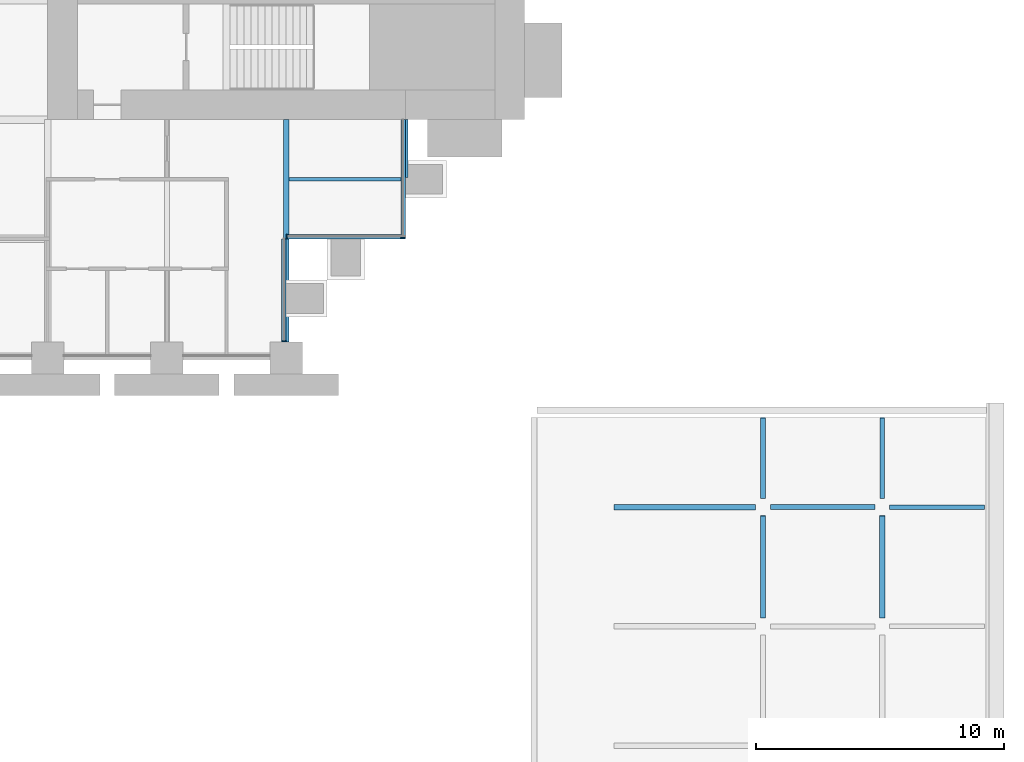
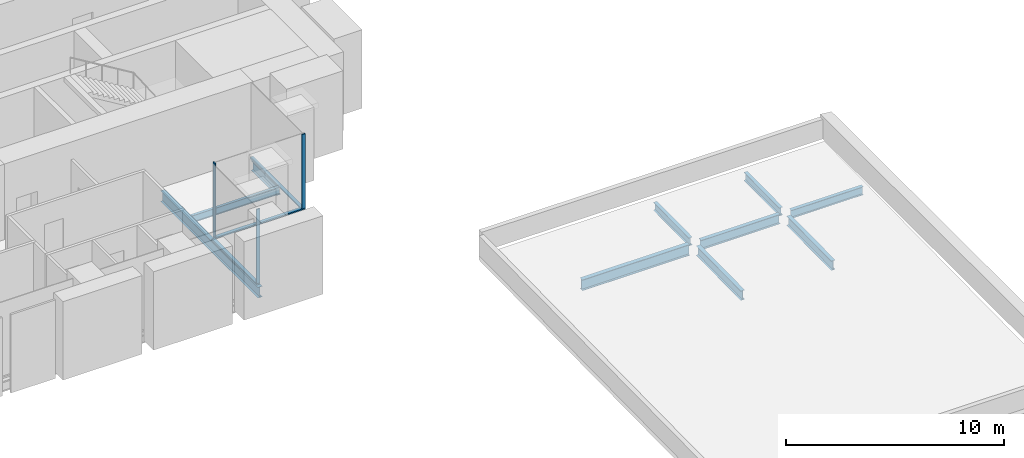
# One storey, part 4 of 14: 10 beams, 6 members, 3 elements without a shape of their own.
"""IFC4 building model written with IfcOpenShell, lengths in metres."""

from ifc_helpers import new_model, si_unit, direction, frame, origin, origin_2d, place, context, subcontext, project, spatial, rectangle, i_section, extrude, material, material_profile, profile_set, type_object, element, aggregate, save


model = new_model("IFC4")

# Units and contexts
model_context = context("Model", 3, precision=1e-05, world=origin(), true_north=direction((0.0, 1.0)))
body_context = subcontext(model_context, "Body", "Model", "MODEL_VIEW")
ifc_project = project(units=[si_unit("LENGTHUNIT", "METRE"), si_unit("AREAUNIT", "SQUARE_METRE"), si_unit("VOLUMEUNIT", "CUBIC_METRE"), si_unit("PLANEANGLEUNIT", "RADIAN"), si_unit("MASSUNIT", "GRAM", prefix="KILO")], contexts=[model_context])

# Site, building, storey
site_placement = place(None, origin())
site = spatial("IfcSite", under=ifc_project, at=site_placement, CompositionType="ELEMENT")
building_placement = place(site_placement, origin())
building = spatial("IfcBuilding", under=site, at=building_placement, Name="Baori Bourse Tower", CompositionType="ELEMENT")
storey_placement = place(building_placement, frame((0.0, 0.0, 30.199951171875)))
storey = spatial("IfcBuildingStorey", under=building, at=storey_placement, Name="L05", CompositionType="ELEMENT", Elevation=30.199951171875)

# Curtain wall, member
ifc_material_1 = material(Name="Pale anodised aluminium", Category="aluminium")
curtain_wall_type = type_object("IfcCurtainWallType", Name="CW2 Curtain wall", PredefinedType="NOTDEFINED", material=ifc_material_1)
curtain_wall_1_placement = place(storey_placement, origin())
curtain_wall_1 = element("IfcCurtainWall", 1, at=curtain_wall_1_placement, inside=storey, type_object=curtain_wall_type, Name="Curtain wall CW2 L05 12", PredefinedType="NOTDEFINED")
ifc_material_2 = material(Name="Pale anodised aluminium", Category="aluminium")
ifc_material_profile_1 = material_profile(ifc_material_2, rectangle(XDim=0.179931640625, YDim=0.054931640625, at=origin_2d()), Name="Mullion 55x180")
ifc_profile_set_1 = profile_set([ifc_material_profile_1], Name="Pale anodised aluminium")
member_type_1 = type_object("IfcMemberType", Name="CW2 Curtain wall mullion", PredefinedType="MULLION", material=ifc_profile_set_1)
member_1_placement = place(storey_placement, frame((47.909912109375, 0.677490234375, 0.070068359375), z_axis=(0.0, 0.0, 1.0), x_axis=(-1.0, 0.0, 0.0)))
member_1 = element("IfcMember", 2, at=member_1_placement, type_object=member_type_1, Name="Curtain wall CW2 mullion", PredefinedType="MULLION", context=body_context, shape_type="SweptSolid", body=[
    extrude(rectangle(XDim=0.179931640625, YDim=0.054931640625, at=origin_2d()), origin(), (0.0, 0.0, 1.0), 4.169921875),
])

curtain_wall_2_placement = place(storey_placement, origin())
curtain_wall_2 = element("IfcCurtainWall", 3, at=curtain_wall_2_placement, inside=storey, type_object=curtain_wall_type, Name="Curtain wall CW2 L05 13", PredefinedType="NOTDEFINED")
member_2_placement = place(storey_placement, frame((48.027587890625, 4.889892578125, 0.070068359375), z_axis=(0.0, 0.0, 1.0), x_axis=(0.0, 1.0, 0.0)))
member_2 = element("IfcMember", 4, at=member_2_placement, type_object=member_type_1, Name="Curtain wall CW2 mullion", PredefinedType="MULLION", context=body_context, shape_type="SweptSolid", body=[
    extrude(rectangle(XDim=0.179931640625, YDim=0.054931640625, at=origin_2d()), origin(), (0.0, 0.0, 1.0), 4.169921875),
])

curtain_wall_3_placement = place(storey_placement, origin())
curtain_wall_3 = element("IfcCurtainWall", 5, at=curtain_wall_3_placement, inside=storey, type_object=curtain_wall_type, Name="Curtain wall CW2 L05 14", PredefinedType="NOTDEFINED")
member_3_placement = place(storey_placement, frame((52.7099609375, 4.827392578125, 0.070068359375), z_axis=(0.0, 0.0, 1.0), x_axis=(-1.0, 0.0, 0.0)))
member_3 = element("IfcMember", 6, at=member_3_placement, type_object=member_type_1, Name="Curtain wall CW2 mullion", PredefinedType="MULLION", context=body_context, shape_type="SweptSolid", body=[
    extrude(rectangle(XDim=0.179931640625, YDim=0.054931640625, at=origin_2d()), origin(), (0.0, 0.0, 1.0), 4.169921875),
])

# Member
ifc_material_3 = material(Name="Pale anodised aluminium", Category="aluminium")
ifc_material_profile_2 = material_profile(ifc_material_3, rectangle(XDim=0.179931640625, YDim=0.070068359375, at=origin_2d()), Name="Transom 70x180")
ifc_profile_set_2 = profile_set([ifc_material_profile_2], Name="Pale anodised aluminium")
member_type_2 = type_object("IfcMemberType", Name="CW2 Curtain wall transom", PredefinedType="USERDEFINED", material=ifc_profile_set_2)
member_4_placement = place(storey_placement, frame((47.909912109375, 0.64990234375, 0.03515625), z_axis=(0.0, 1.0, 0.0), x_axis=(-1.0, 0.0, 0.0)))
member_4 = element("IfcMember", 7, at=member_4_placement, type_object=member_type_2, Name="Curtain wall CW2 sill rail", ObjectType="TRANSOM", PredefinedType="USERDEFINED", context=body_context, shape_type="SweptSolid", body=[
    extrude(rectangle(XDim=0.179931640625, YDim=0.070068359375, at=origin_2d()), origin(), (0.0, 0.0, 1.0), 4.150146484375),
])

aggregate(curtain_wall_1, [member_4, member_1])

member_5_placement = place(storey_placement, frame((48.0, 4.889892578125, 0.03515625), z_axis=(1.0, 0.0, 0.0), x_axis=(0.0, 1.0, 0.0)))
member_5 = element("IfcMember", 8, at=member_5_placement, type_object=member_type_2, Name="Curtain wall CW2 sill rail", ObjectType="TRANSOM", PredefinedType="USERDEFINED", context=body_context, shape_type="SweptSolid", body=[
    extrude(rectangle(XDim=0.179931640625, YDim=0.070068359375, at=origin_2d()), origin(), (0.0, 0.0, 1.0), 4.800048828125),
])

aggregate(curtain_wall_2, [member_5, member_2])

member_6_placement = place(storey_placement, frame((52.7099609375, 4.800048828125, 0.03515625), z_axis=(0.0, 1.0, 0.0), x_axis=(-1.0, 0.0, 0.0)))
member_6 = element("IfcMember", 9, at=member_6_placement, type_object=member_type_2, Name="Curtain wall CW2 sill rail", ObjectType="TRANSOM", PredefinedType="USERDEFINED", context=body_context, shape_type="SweptSolid", body=[
    extrude(rectangle(XDim=0.179931640625, YDim=0.070068359375, at=origin_2d()), origin(), (0.0, 0.0, 1.0), 4.800048828125),
])

aggregate(curtain_wall_3, [member_6, member_3])

# Beams
ifc_material_4 = material(Name="Steel A992 Gr 50", Category="steel")
ifc_material_profile_3 = material_profile(ifc_material_4, i_section(OverallWidth=0.21240234375, OverallDepth=0.54345703125, WebThickness=0.01318359375, FlangeThickness=0.021240234375, at=origin_2d()), Name="W21x83")
ifc_profile_set_3 = profile_set([ifc_material_profile_3], Name="Steel A992 Gr 50")
beam_type_1 = type_object("IfcBeamType", Name="Core bracket W21x83", PredefinedType="BEAM", material=ifc_profile_set_3)
beam_1_placement = place(storey_placement, frame((52.800048828125, 7.270263671875, -0.431640625), z_axis=(0.0, 1.0, 0.0), x_axis=(-1.0, 0.0, 0.0)))
element("IfcBeam", 10, at=beam_1_placement, inside=storey, type_object=beam_type_1, Name="Core bracket L05", PredefinedType="BEAM", context=body_context, shape_type="SweptSolid", body=[
    extrude(i_section(OverallWidth=0.21240234375, OverallDepth=0.54345703125, WebThickness=0.01318359375, FlangeThickness=0.021240234375, at=origin_2d()), origin(), (0.0, 0.0, 1.0), 2.329833984375),
])
ifc_material_5 = material(Name="Steel A992 Gr 50", Category="steel")
ifc_material_profile_4 = material_profile(ifc_material_5, i_section(OverallWidth=0.227783203125, OverallDepth=0.60205078125, WebThickness=0.010498046875, FlangeThickness=0.014892578125, at=origin_2d()), Name="W24x68")
ifc_profile_set_4 = profile_set([ifc_material_profile_4], Name="Steel A992 Gr 50")
beam_type_2 = type_object("IfcBeamType", Name="Floor beam W24x68", PredefinedType="BEAM", material=ifc_profile_set_4)
beam_2_placement = place(storey_placement, frame((48.0, 0.64990234375, -0.4609375), z_axis=(0.0, 1.0, 0.0), x_axis=(-1.0, 0.0, 0.0)))
element("IfcBeam", 11, at=beam_2_placement, inside=storey, type_object=beam_type_2, Name="Floor beam L05", PredefinedType="BEAM", context=body_context, shape_type="SweptSolid", body=[
    extrude(i_section(OverallWidth=0.227783203125, OverallDepth=0.60205078125, WebThickness=0.010498046875, FlangeThickness=0.014892578125, at=origin_2d()), origin(), (0.0, 0.0, 1.0), 8.9501953125),
])
ifc_material_6 = material(Name="Steel A992 Gr 50", Category="steel")
ifc_material_profile_5 = material_profile(ifc_material_6, i_section(OverallWidth=0.140380859375, OverallDepth=0.40380859375, WebThickness=0.007080078125, FlangeThickness=0.01123046875, at=origin_2d()), Name="W16x31")
ifc_profile_set_5 = profile_set([ifc_material_profile_5], Name="Steel A992 Gr 50")
beam_type_3 = type_object("IfcBeamType", Name="Trimmer beam W16x31", PredefinedType="BEAM", material=ifc_profile_set_5)
beam_3_placement = place(storey_placement, frame((48.114013671875, 7.199951171875, -0.36181640625), z_axis=(1.0, 0.0, 0.0), x_axis=(0.0, 1.0, 0.0)))
element("IfcBeam", 12, at=beam_3_placement, inside=storey, type_object=beam_type_3, Name="Trimmer beam L05", PredefinedType="BEAM", context=body_context, shape_type="SweptSolid", body=[
    extrude(i_section(OverallWidth=0.140380859375, OverallDepth=0.40380859375, WebThickness=0.007080078125, FlangeThickness=0.01123046875, at=origin_2d()), origin(), (0.0, 0.0, 1.0), 4.68603515625),
])
ifc_material_7 = material(Name="Steel A992 Gr 50", Category="steel")
ifc_material_profile_6 = material_profile(ifc_material_7, i_section(OverallWidth=0.1904296875, OverallDepth=0.457275390625, WebThickness=0.009033203125, FlangeThickness=0.014404296875, at=origin_2d()), Name="W18x50")
ifc_profile_set_6 = profile_set([ifc_material_profile_6], Name="Steel A992 Gr 50")
beam_type_4 = type_object("IfcBeamType", Name="Wing beam W18x50", PredefinedType="BEAM", material=ifc_profile_set_6)
beam_4_placement = place(storey_placement, frame((76.115478515625, -6.0, -0.52587890625), z_axis=(-1.0, 0.0, 0.0), x_axis=(0.0, -1.0, 0.0)))
element("IfcBeam", 13, at=beam_4_placement, inside=storey, type_object=beam_type_4, Name="wing/L05/Ebeam/013", PredefinedType="BEAM", context=body_context, shape_type="SweptSolid", body=[
    extrude(i_section(OverallWidth=0.1904296875, OverallDepth=0.457275390625, WebThickness=0.009033203125, FlangeThickness=0.014404296875, at=origin_2d()), origin(), (0.0, 0.0, 1.0), 3.8154296875),
])
for number, where, z_axis, x_axis, name in (
    (14, (72.0, -5.64990234375, -0.521240234375), (0.0, 0.999913602098, 0.013144897864), (-1.0, 0.0, 0.0), "wing/L05/Ebeamy/005"),
    (15, (67.199951171875, -5.64990234375, -0.521240234375), (0.0, 0.999913602098, 0.013144897864), (-1.0, 0.0, 0.0), "wing/L05/Ebeamy/010"),
):
    element("IfcBeam", number, at=place(storey_placement, frame(where, z_axis=z_axis, x_axis=x_axis)), inside=storey, type_object=beam_type_4, Name=name, PredefinedType="BEAM", context=body_context, shape_type="SweptSolid", body=[
        extrude(i_section(OverallWidth=0.1904296875, OverallDepth=0.457275390625, WebThickness=0.009033203125, FlangeThickness=0.014404296875, at=origin_2d()), origin(), (0.0, 0.0, 1.0), 3.250244140625),
    ])
ifc_material_8 = material(Name="Steel A992 Gr 50", Category="steel")
ifc_material_profile_7 = material_profile(ifc_material_8, i_section(OverallWidth=0.209228515625, OverallDepth=0.533447265625, WebThickness=0.01025390625, FlangeThickness=0.015625, at=origin_2d()), Name="W21x62")
ifc_profile_set_7 = profile_set([ifc_material_profile_7], Name="Steel A992 Gr 50")
beam_type_5 = type_object("IfcBeamType", Name="Wing beam W21x62", PredefinedType="BEAM", material=ifc_profile_set_7)
beam_5_placement = place(storey_placement, frame((71.699951171875, -6.0, -0.56396484375), z_axis=(-1.0, 0.0, 0.0), x_axis=(0.0, -1.0, 0.0)))
element("IfcBeam", 16, at=beam_5_placement, inside=storey, type_object=beam_type_5, Name="wing/L05/Ebeam/014", PredefinedType="BEAM", context=body_context, shape_type="SweptSolid", body=[
    extrude(i_section(OverallWidth=0.209228515625, OverallDepth=0.533447265625, WebThickness=0.01025390625, FlangeThickness=0.015625, at=origin_2d()), origin(), (0.0, 0.0, 1.0), 4.199951171875),
])
for number, where, z_axis, x_axis, name in (
    (17, (72.0, -10.449951171875, -0.62255859375), (0.0, 0.999913415218, 0.013159105863), (-1.0, 0.0, 0.0), "wing/L05/Ebeamy/004"),
    (18, (67.199951171875, -10.449951171875, -0.62255859375), (0.0, 0.999913415218, 0.013159105863), (-1.0, 0.0, 0.0), "wing/L05/Ebeamy/009"),
):
    element("IfcBeam", number, at=place(storey_placement, frame(where, z_axis=z_axis, x_axis=x_axis)), inside=storey, type_object=beam_type_5, Name=name, PredefinedType="BEAM", context=body_context, shape_type="SweptSolid", body=[
        extrude(i_section(OverallWidth=0.209228515625, OverallDepth=0.533447265625, WebThickness=0.01025390625, FlangeThickness=0.015625, at=origin_2d()), origin(), (0.0, 0.0, 1.0), 4.10009765625),
    ])
ifc_material_9 = material(Name="Steel A992 Gr 50", Category="steel")
ifc_material_profile_8 = material_profile(ifc_material_9, i_section(OverallWidth=0.22900390625, OverallDepth=0.612060546875, WebThickness=0.011962890625, FlangeThickness=0.01953125, at=origin_2d()), Name="W24x84")
ifc_profile_set_8 = profile_set([ifc_material_profile_8], Name="Steel A992 Gr 50")
beam_type_6 = type_object("IfcBeamType", Name="Wing beam W24x84", PredefinedType="BEAM", material=ifc_profile_set_8)
beam_6_placement = place(storey_placement, frame((66.89990234375, -6.0, -0.603271484375), z_axis=(-1.0, 0.0, 0.0), x_axis=(0.0, -1.0, 0.0)))
element("IfcBeam", 19, at=beam_6_placement, inside=storey, type_object=beam_type_6, Name="wing/L05/Ebeam/015", PredefinedType="BEAM", context=body_context, shape_type="SweptSolid", body=[
    extrude(i_section(OverallWidth=0.22900390625, OverallDepth=0.612060546875, WebThickness=0.011962890625, FlangeThickness=0.01953125, at=origin_2d()), origin(), (0.0, 0.0, 1.0), 5.699951171875),
])

save(model, "model.ifc")
